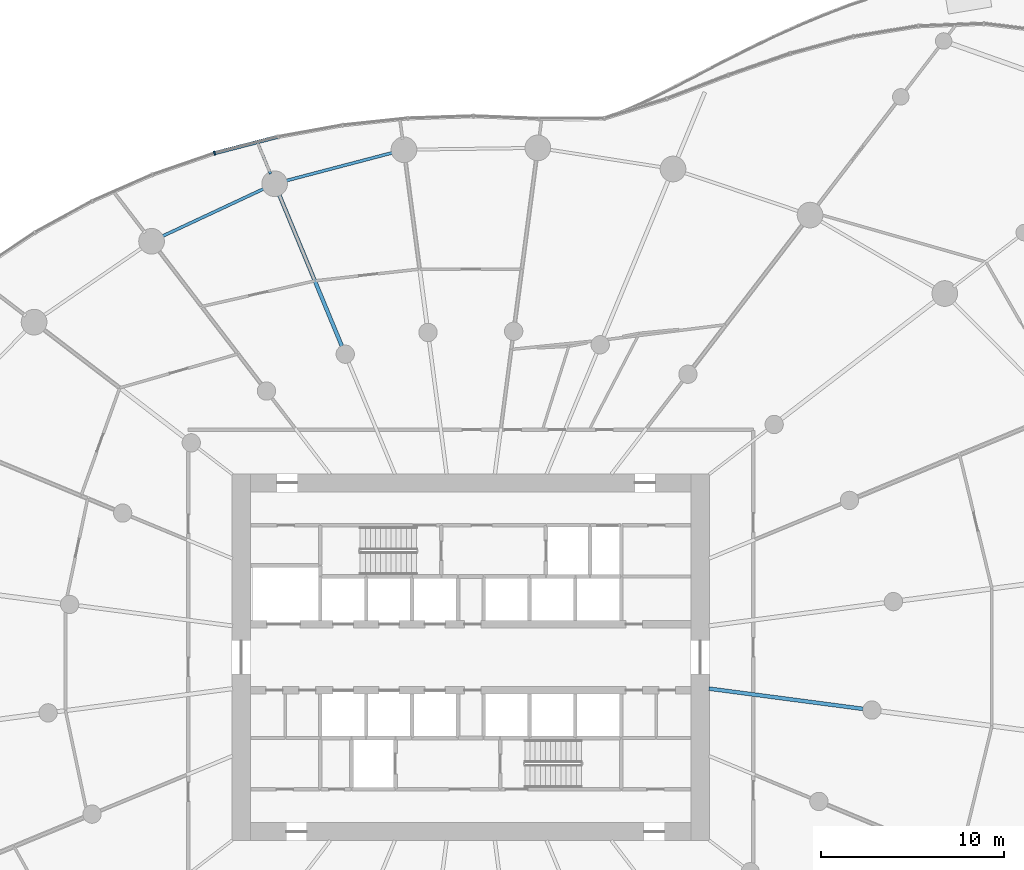
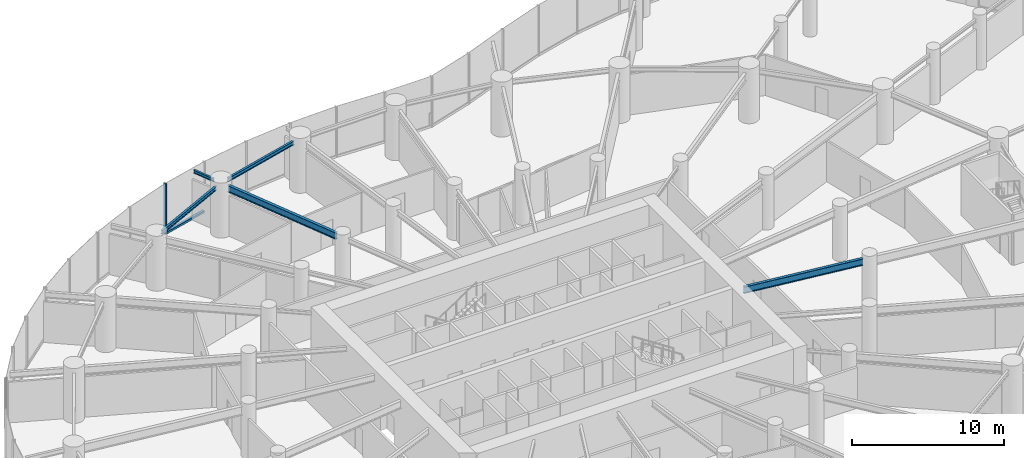
# One storey, part 5 of 24: 5 beams, 2 members, 1 element without a shape of its own.
"""IFC4 building model written with IfcOpenShell, lengths in metres."""

from ifc_helpers import new_model, si_unit, direction, frame, origin, origin_2d, place, context, subcontext, project, spatial, rectangle, i_section, extrude, source, transform, mapped, material, layer, layer_set, material_profile, profile_set, type_object, element, aggregate, save


model = new_model("IFC4")

# Units and contexts
model_context = context("Model", 3, precision=1e-05, world=origin(), true_north=direction((0.0, 1.0)))
body_context = subcontext(model_context, "Body", "Model", "MODEL_VIEW")
ifc_project = project(units=[si_unit("LENGTHUNIT", "METRE"), si_unit("AREAUNIT", "SQUARE_METRE"), si_unit("VOLUMEUNIT", "CUBIC_METRE"), si_unit("PLANEANGLEUNIT", "RADIAN"), si_unit("MASSUNIT", "GRAM", prefix="KILO")], contexts=[model_context])

# Site, building, storey
site_placement = place(None, origin())
site = spatial("IfcSite", under=ifc_project, at=site_placement, CompositionType="ELEMENT")
building_placement = place(site_placement, origin())
building = spatial("IfcBuilding", under=site, at=building_placement, Name="Spindrift Exchange Tower", CompositionType="ELEMENT")
storey_placement = place(building_placement, frame((0.0, 0.0, 5.0)))
storey = spatial("IfcBuildingStorey", under=building, at=storey_placement, Name="L01", CompositionType="ELEMENT", Elevation=5.0)

# Beams
ifc_material_1 = material(Name="Steel Grade 300", Category="steel")
ifc_material_profile_1 = material_profile(ifc_material_1, i_section(OverallWidth=0.208984375, OverallDepth=0.532958984375, WebThickness=0.01025390625, FlangeThickness=0.015625, FilletRadius=0.013916015625, at=origin_2d()), Name="530UB92.4")
ifc_profile_set_1 = profile_set([ifc_material_profile_1], Name="Steel Grade 300")
beam_type_1 = type_object("IfcBeamType", Name="Floor Beam 530UB92.4 Steel Grade 300", PredefinedType="BEAM", material=ifc_profile_set_1)
shared_shape_1 = source(origin(), body_context, "Body", "SweptSolid", [
    extrude(i_section(OverallWidth=0.208984375, OverallDepth=0.532958984375, WebThickness=0.01025390625, FlangeThickness=0.015625, FilletRadius=0.013916015625, at=origin_2d()), origin(), (0.0, 0.0, 1.0), 8.99658203125),
])
beam_1_placement = place(storey_placement, frame((44.974609375, 64.9609375, 3.783447265625), z_axis=(-0.382685731718, 0.923878580085, 0.0), x_axis=(-0.923878580085, -0.382685731718, 0.0)))
element("IfcBeam", 1, at=beam_1_placement, inside=storey, type_object=beam_type_1, Name="L01 radial beam R08B", PredefinedType="BEAM", context=body_context, shape_type="MappedRepresentation", body=[
    mapped(shared_shape_1, transform((0.0, 0.0, 0.0), scale=1.0)),
])
ifc_material_profile_2 = material_profile(ifc_material_1, i_section(OverallWidth=0.14599609375, OverallDepth=0.251953125, WebThickness=0.006103515625, FlangeThickness=0.008544921875, FilletRadius=0.011962890625, at=origin_2d()), Name="250UB31.4")
ifc_profile_set_2 = profile_set([ifc_material_profile_2], Name="Steel Grade 300")
beam_type_2 = type_object("IfcBeamType", Name="Cantilever Beam 250UB31.4 Steel Grade 300", PredefinedType="BEAM", material=ifc_profile_set_2)
shared_shape_2 = source(origin(), body_context, "Body", "SweptSolid", [
    extrude(i_section(OverallWidth=0.14599609375, OverallDepth=0.251953125, WebThickness=0.006103515625, FlangeThickness=0.008544921875, FilletRadius=0.011962890625, at=origin_2d()), origin(), (0.0, 0.0, 1.0), 1.677978515625),
])
beam_2_placement = place(storey_placement, frame((41.087890625, 74.344482421875, 3.924072265625), z_axis=(-0.382775805905, 0.923841264728, 0.0), x_axis=(-0.923841264728, -0.382775805905, 0.0)))
element("IfcBeam", 2, at=beam_2_placement, inside=storey, type_object=beam_type_2, Name="L01 cantilever beam R08T", PredefinedType="BEAM", context=body_context, shape_type="MappedRepresentation", body=[
    mapped(shared_shape_2, transform((0.0, 0.0, 0.0), scale=1.0)),
])
shared_shape_3 = source(origin(), body_context, "Body", "SweptSolid", [
    extrude(i_section(OverallWidth=0.208984375, OverallDepth=0.532958984375, WebThickness=0.01025390625, FlangeThickness=0.015625, FilletRadius=0.013916015625, at=origin_2d()), origin(), (0.0, 0.0, 1.0), 8.4794921875),
])
beam_3_placement = place(storey_placement, frame((64.980224609375, 46.291015625, 3.783447265625), z_axis=(0.991446551951, -0.13051335037, 0.0), x_axis=(0.13051335037, 0.991446551951, 0.0)))
element("IfcBeam", 3, at=beam_3_placement, inside=storey, type_object=beam_type_1, Name="L01 radial beam R24A", PredefinedType="BEAM", context=body_context, shape_type="MappedRepresentation", body=[
    mapped(shared_shape_3, transform((0.0, 0.0, 0.0), scale=1.0)),
])
ifc_material_profile_3 = material_profile(ifc_material_1, i_section(OverallWidth=0.1650390625, OverallDepth=0.303955078125, WebThickness=0.006103515625, FlangeThickness=0.01025390625, FilletRadius=0.011474609375, at=origin_2d()), Name="310UB40.4")
ifc_profile_set_3 = profile_set([ifc_material_profile_3], Name="Steel Grade 300")
beam_type_3 = type_object("IfcBeamType", Name="Edge Beam 310UB40.4 Steel Grade 300", PredefinedType="SPANDREL", material=ifc_profile_set_3)
shared_shape_4 = source(origin(), body_context, "Body", "SweptSolid", [
    extrude(i_section(OverallWidth=0.1650390625, OverallDepth=0.303955078125, WebThickness=0.006103515625, FlangeThickness=0.01025390625, FilletRadius=0.011474609375, at=origin_2d()), origin(), (0.0, 0.0, 1.0), 6.128173828125),
])
beam_4_placement = place(storey_placement, frame((47.79736328125, 75.513916015625, 3.89794921875), z_axis=(-0.967147261855, -0.254216785216, 0.0), x_axis=(0.254216785216, -0.967147261855, 0.0)))
element("IfcBeam", 4, at=beam_4_placement, inside=storey, type_object=beam_type_3, Name="L01 edge beam E07", PredefinedType="SPANDREL", context=body_context, shape_type="MappedRepresentation", body=[
    mapped(shared_shape_4, transform((0.0, 0.0, 0.0), scale=1.0)),
])
shared_shape_5 = source(origin(), body_context, "Body", "SweptSolid", [
    extrude(i_section(OverallWidth=0.1650390625, OverallDepth=0.303955078125, WebThickness=0.006103515625, FlangeThickness=0.01025390625, FilletRadius=0.011474609375, at=origin_2d()), origin(), (0.0, 0.0, 1.0), 6.243408203125),
])
beam_5_placement = place(storey_placement, frame((40.7841796875, 73.56298828125, 3.89794921875), z_axis=(-0.905791146607, -0.423724437257, 0.0), x_axis=(0.423724437257, -0.905791146607, 0.0)))
element("IfcBeam", 5, at=beam_5_placement, inside=storey, type_object=beam_type_3, Name="L01 edge beam E08", PredefinedType="SPANDREL", context=body_context, shape_type="MappedRepresentation", body=[
    mapped(shared_shape_5, transform((0.0, 0.0, 0.0), scale=1.0)),
])

# Curtain wall, members
ifc_material_2 = material(Name="Fritted laminated glass with bronze frame", Category="glass")
ifc_layer = layer(ifc_material_2, 0.219970703125)
ifc_layer_set = layer_set([ifc_layer], Name="PODIUM BRONZE GLAZED WALL")
curtain_wall_type = type_object("IfcCurtainWallType", Name="PODIUM BRONZE GLAZED WALL", PredefinedType="NOTDEFINED", material=ifc_layer_set)
curtain_wall_placement = place(storey_placement, origin())
curtain_wall = element("IfcCurtainWall", 6, at=curtain_wall_placement, inside=storey, type_object=curtain_wall_type, Name="L01 Podium Bronze Glazed Wall run 5", PredefinedType="NOTDEFINED")
ifc_material_3 = material(Name="Bronze anodised aluminium", Category="aluminium")
ifc_material_profile_4 = material_profile(ifc_material_3, rectangle(XDim=0.090087890625, YDim=0.219970703125, at=origin_2d()), Name="PODIUM BRONZE GLAZED WALL MULLION 90X220")
ifc_profile_set_4 = profile_set([ifc_material_profile_4], Name="Bronze anodised aluminium")
member_type_1 = type_object("IfcMemberType", Name="PODIUM BRONZE GLAZED WALL MULLION 90X220", PredefinedType="MULLION", material=ifc_profile_set_4)
shared_shape_6 = source(origin(), body_context, "Body", "SweptSolid", [
    extrude(rectangle(XDim=0.090087890625, YDim=0.219970703125, at=origin_2d()), origin(), (0.0, 0.0, 1.0), 4.050048828125),
])
member_1_placement = place(storey_placement, frame((38.03369140625, 75.47412109375, 0.0), z_axis=(0.0, 0.0, 1.0), x_axis=(-0.957447231906, -0.288608381921, 0.0)))
member_1 = element("IfcMember", 7, at=member_1_placement, type_object=member_type_1, Name="L01 mullion CW-P.26", PredefinedType="MULLION", context=body_context, shape_type="MappedRepresentation", body=[
    mapped(shared_shape_6, transform((0.0, 0.0, 0.0), scale=1.0)),
])
ifc_material_profile_5 = material_profile(ifc_material_3, rectangle(XDim=0.199951171875, YDim=0.159912109375, at=origin_2d()), Name="PODIUM BRONZE GLAZED WALL TRANSOM 200X160")
ifc_profile_set_5 = profile_set([ifc_material_profile_5], Name="Bronze anodised aluminium")
member_type_2 = type_object("IfcMemberType", Name="PODIUM BRONZE GLAZED WALL TRANSOM 200X160", PredefinedType="USERDEFINED", material=ifc_profile_set_5)
shared_shape_7 = source(origin(), body_context, "Body", "SweptSolid", [
    extrude(rectangle(XDim=0.199951171875, YDim=0.159912109375, at=origin_2d()), origin(), (0.0, 0.0, 1.0), 3.48681640625),
])
member_2_placement = place(storey_placement, frame((41.452392578125, 76.35986328125, 0.080078125), z_axis=(-0.968035317166, -0.250813924491, 0.0), x_axis=(0.250813924491, -0.968035317166, 0.0)))
member_2 = element("IfcMember", 8, at=member_2_placement, type_object=member_type_2, Name="L01 transom CW-P.25", ObjectType="TRANSOM", PredefinedType="USERDEFINED", context=body_context, shape_type="MappedRepresentation", body=[
    mapped(shared_shape_7, transform((0.0, 0.0, 0.0), scale=1.0)),
])
aggregate(curtain_wall, [member_2, member_1])

save(model, "model.ifc")
